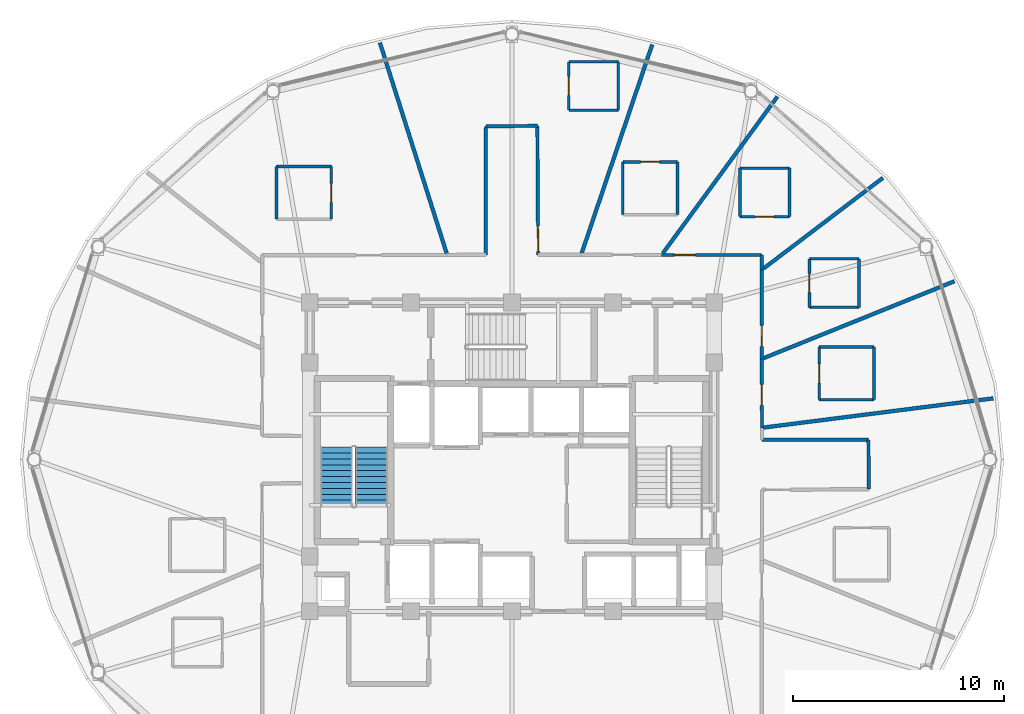
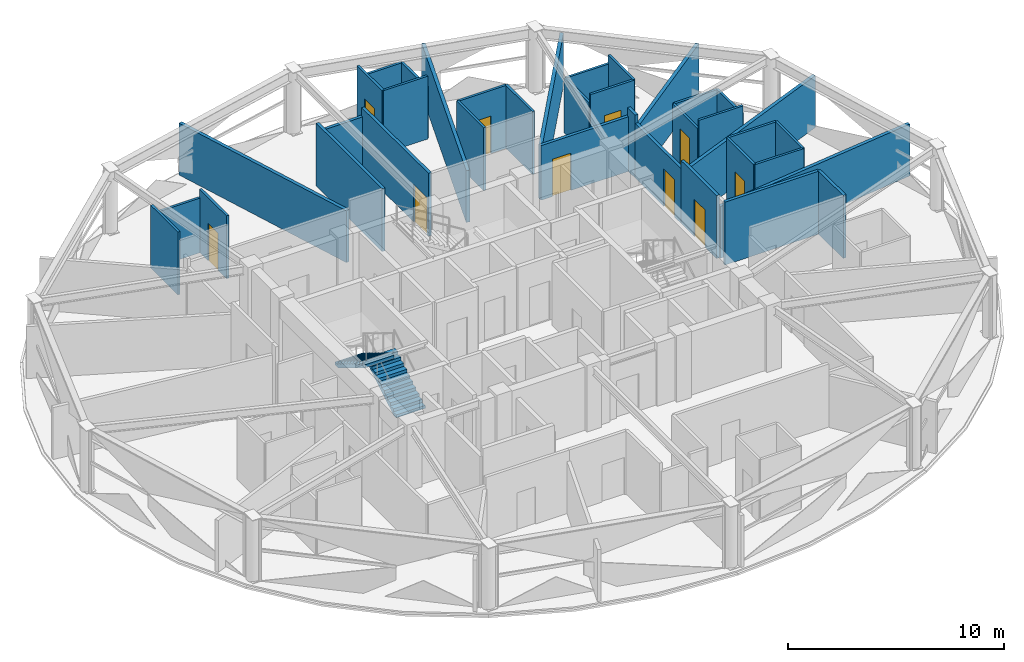
# One storey, part 25 of 30: 37 walls, 10 doors, 2 stair flights, 10 openings, 1 element without a shape of its own.
"""IFC4 building model written with IfcOpenShell, lengths in metres."""

import ifcopenshell
import ifcopenshell.guid

model = None  # the IFC model being written
_history = None  # IfcOwnerHistory: only IFC2X3 demands one
_inside = {}  # id of a spatial element -> (the spatial element, [elements in it])
_under = {}  # id of a project, library or spatial element -> (it, [spatial elements below it])
_declared = {}  # id of a project -> (the project, [libraries it declares])
_typed = {}  # id of a type object -> (the type object, [elements of that type])
_made_of = {}  # id of a material, layer set ... -> (it, [elements and type objects made of it])


def new_model(schema):
    """Start an empty IFC model of exactly this schema.

    Asked for "IFC4X3", IfcOpenShell would pick the latest addendum, in which some entities
    have other attributes; the version numbers below select the first issue.
    IFC2X3 requires an IfcOwnerHistory on every rooted entity: one is made here for all.
    """
    global model, _history
    if schema == "IFC4X3":
        model = ifcopenshell.file(schema_version=(4, 3, 0, 0))
    else:
        model = ifcopenshell.file(schema=schema)
    _inside.clear()
    _under.clear()
    _declared.clear()
    _typed.clear()
    _made_of.clear()
    _history = None
    if model.schema == "IFC2X3":
        org = make("IfcOrganization", Name="unknown")
        user = make(
            "IfcPersonAndOrganization",
            ThePerson=make("IfcPerson", FamilyName="unknown"),
            TheOrganization=org,
        )
        app = make(
            "IfcApplication",
            ApplicationDeveloper=org,
            Version="unknown",
            ApplicationFullName="unknown",
            ApplicationIdentifier="unknown",
        )
        _history = make(
            "IfcOwnerHistory",
            OwningUser=user,
            OwningApplication=app,
            ChangeAction="ADDED",
            CreationDate=0,
        )
    return model


def make(cls, **values):
    """One entity of the class cls with the attributes given. An attribute that is None is left unset."""
    return model.create_entity(
        cls, **{name: value for name, value in values.items() if value is not None}
    )


def rooted(cls, **values):
    """An entity with a GlobalId (a new one), such as an element, a storey or a relation."""
    return make(cls, GlobalId=ifcopenshell.guid.new(), OwnerHistory=_history, **values)


def si_unit(unit_type, name, prefix=None):
    """IfcSIUnit, for example si_unit("LENGTHUNIT", "METRE", prefix="MILLI")."""
    return make("IfcSIUnit", UnitType=unit_type, Prefix=prefix, Name=name)


def assignment(units):
    """IfcUnitAssignment: the units of a project."""
    return None if units is None else make("IfcUnitAssignment", Units=units)


def point(xyz):
    """IfcCartesianPoint."""
    return None if xyz is None else make("IfcCartesianPoint", Coordinates=xyz)


def direction(xyz):
    """IfcDirection."""
    return None if xyz is None else make("IfcDirection", DirectionRatios=xyz)


def frame(location, z_axis=None, x_axis=None):
    """IfcAxis2Placement3D, a coordinate frame: its origin and axes. An axis left out is left unset."""
    return make(
        "IfcAxis2Placement3D",
        Location=point(location),
        Axis=direction(z_axis),
        RefDirection=direction(x_axis),
    )


def frame_2d(location, x_axis=None):
    """IfcAxis2Placement2D, a coordinate frame in the plane: its origin and x axis."""
    return make(
        "IfcAxis2Placement2D", Location=point(location), RefDirection=direction(x_axis)
    )


def origin():
    """The frame at (0, 0, 0) with its axes left unset."""
    return frame((0.0, 0.0, 0.0))


def place(relative_to, where):
    """IfcLocalPlacement: puts the frame where relative to a parent placement (None: the world)."""
    return make(
        "IfcLocalPlacement", PlacementRelTo=relative_to, RelativePlacement=where
    )


def context(
    kind, dimensions, precision=None, world=None, true_north=None, identifier=None
):
    """IfcGeometricRepresentationContext, for example the 3D "Model" context."""
    return make(
        "IfcGeometricRepresentationContext",
        ContextIdentifier=identifier,
        ContextType=kind,
        CoordinateSpaceDimension=dimensions,
        Precision=precision,
        WorldCoordinateSystem=world,
        TrueNorth=true_north,
    )


def subcontext(parent, identifier, kind, view, scale=None):
    """IfcGeometricRepresentationSubContext, for example "Body" below "Model"."""
    return make(
        "IfcGeometricRepresentationSubContext",
        ContextIdentifier=identifier,
        ContextType=kind,
        ParentContext=parent,
        TargetScale=scale,
        TargetView=view,
    )


def project(units=None, contexts=None):
    """IfcProject with its units and contexts."""
    return rooted(
        "IfcProject",
        Name="project",
        RepresentationContexts=contexts,
        UnitsInContext=assignment(units),
    )


def spatial(cls, under=None, at=None, **own):
    """A site, building, storey or space (cls), placed at a placement, below another one or the project."""
    s = rooted(cls, ObjectPlacement=at, **own)
    if under is not None:
        _under.setdefault(under.id(), (under, []))[1].append(s)
    return s


def polyline(points):
    """IfcPolyline through the points."""
    return make("IfcPolyline", Points=[point(p) for p in points])


def profile(cls, at=None, kind="AREA", **sizes):
    """A parametric profile (cls). Its sizes go by their IFC names, for example OverallWidth=200.0."""
    return make(cls, ProfileType=kind, Position=at, **sizes)


def rectangle(**sizes):
    """IfcRectangleProfileDef."""
    return profile("IfcRectangleProfileDef", **sizes)


def outline(outer, holes=None, kind="AREA"):
    """IfcArbitraryClosedProfileDef: a profile drawn as a closed curve; with holes, ...WithVoids."""
    if holes is None:
        return make("IfcArbitraryClosedProfileDef", ProfileType=kind, OuterCurve=outer)
    return make(
        "IfcArbitraryProfileDefWithVoids",
        ProfileType=kind,
        OuterCurve=outer,
        InnerCurves=holes,
    )


def extrude(swept, where, along, depth):
    """IfcExtrudedAreaSolid: the profile swept, set in the frame where, extruded along a direction by depth."""
    return make(
        "IfcExtrudedAreaSolid",
        SweptArea=swept,
        Position=where,
        ExtrudedDirection=direction(along),
        Depth=depth,
    )


def shape(context_of_items, identifier, shape_type, items):
    """IfcShapeRepresentation: the items that make up one representation, for example the "Body"."""
    return make(
        "IfcShapeRepresentation",
        ContextOfItems=context_of_items,
        RepresentationIdentifier=identifier,
        RepresentationType=shape_type,
        Items=items,
    )


def material(Name=None, Category=None):
    """IfcMaterial."""
    return make("IfcMaterial", Name=Name, Category=Category)


def layer(
    of_material, thickness, ventilated=None, Name=None, Category=None, Priority=None
):
    """IfcMaterialLayer: one layer of a wall or slab, of a material (None: an air gap)."""
    return make(
        "IfcMaterialLayer",
        Material=of_material,
        LayerThickness=thickness,
        IsVentilated=ventilated,
        Name=Name,
        Category=Category,
        Priority=Priority,
    )


def layer_set(layers, Name=None):
    """IfcMaterialLayerSet."""
    return make("IfcMaterialLayerSet", MaterialLayers=layers, LayerSetName=Name)


def made_of(thing, what):
    """Note that an element or type object is made of a material, layer set ...; save() writes the relation."""
    if what is not None:
        _made_of.setdefault(what.id(), (what, []))[1].append(thing)
    return thing


def type_object(cls, material=None, **own):
    """A type object (cls), such as IfcWallType, which elements share."""
    return made_of(rooted(cls, **own), material)


def element(
    cls,
    number,
    at=None,
    inside=None,
    cuts=None,
    type_object=None,
    material=None,
    context=None,
    identifier="Body",
    shape_type=None,
    held_by="IfcProductDefinitionShape",
    body=None,
    shapes=None,
    **own,
):
    """One element of the class cls, such as IfcWall. Its Tag is "e" and its number.

    at: its placement. inside: the storey or other place that contains it. cuts: it is an
    opening in that element (IfcRelVoidsElement). A single representation is given by context,
    identifier, shape_type and body (its items); several are given by shapes. held_by: the class
    of the entity that holds the representations. save() writes the other relations.
    """
    e = rooted(cls, Tag="e%d" % number, ObjectPlacement=at, **own)
    if body is not None:
        shapes = [shape(context, identifier, shape_type, body)]
    if shapes is not None:
        e.Representation = make(held_by, Representations=shapes)
    if inside is not None:
        _inside.setdefault(inside.id(), (inside, []))[1].append(e)
    if cuts is not None:
        rooted(
            "IfcRelVoidsElement", RelatingBuildingElement=cuts, RelatedOpeningElement=e
        )
    if type_object is not None:
        _typed.setdefault(type_object.id(), (type_object, []))[1].append(e)
    return made_of(e, material)


def fill(opening, filler):
    """IfcRelFillsElement: the door or window that sits in an opening."""
    return rooted(
        "IfcRelFillsElement",
        RelatingOpeningElement=opening,
        RelatedBuildingElement=filler,
    )


def aggregate(whole, parts):
    """IfcRelAggregates: a whole, such as a stair, and the parts it consists of."""
    return rooted("IfcRelAggregates", RelatingObject=whole, RelatedObjects=parts)


def save(model, path):
    """Write the relations noted so far, then the file.

    IfcRelAggregates (storeys below a building ...), IfcRelContainedInSpatialStructure (elements
    in a storey), IfcRelDefinesByType, IfcRelAssociatesMaterial and IfcRelDeclares: one each for
    every whole, place, type object, material and project.
    """
    for whole, parts in _under.values():
        aggregate(whole, parts)
    for where, things in _inside.values():
        rooted(
            "IfcRelContainedInSpatialStructure",
            RelatedElements=things,
            RelatingStructure=where,
        )
    for kind, things in _typed.values():
        rooted("IfcRelDefinesByType", RelatedObjects=things, RelatingType=kind)
    for what, things in _made_of.values():
        rooted("IfcRelAssociatesMaterial", RelatedObjects=things, RelatingMaterial=what)
    for by, libraries in _declared.values():
        rooted("IfcRelDeclares", RelatingContext=by, RelatedDefinitions=libraries)
    model.write(path)


model = new_model("IFC4")

# Units and contexts
model_context = context("Model", 3, precision=1e-05, world=origin(), true_north=direction((0.0, 1.0)))
body_context = subcontext(model_context, "Body", "Model", "MODEL_VIEW")
ifc_project = project(units=[si_unit("LENGTHUNIT", "METRE"), si_unit("AREAUNIT", "SQUARE_METRE"), si_unit("VOLUMEUNIT", "CUBIC_METRE"), si_unit("PLANEANGLEUNIT", "RADIAN"), si_unit("MASSUNIT", "GRAM", prefix="KILO")], contexts=[model_context])

# Site, building, storey
site_placement = place(None, origin())
site = spatial("IfcSite", under=ifc_project, at=site_placement, CompositionType="ELEMENT")
building_placement = place(site_placement, origin())
building = spatial("IfcBuilding", under=site, at=building_placement, Name="Vantalir Tower", CompositionType="ELEMENT")
storey_placement = place(building_placement, frame((0.0, 0.0, 193.64990234375)))
storey = spatial("IfcBuildingStorey", under=building, at=storey_placement, Name="L48", CompositionType="ELEMENT", Elevation=193.64990234375)

# Walls
ifc_material_1 = material(Name="Moisture-resistant en-suite partition", Category="gypsum")
ifc_layer_1 = layer(ifc_material_1, 0.125)
ifc_layer_set_1 = layer_set([ifc_layer_1], Name="Moisture-resistant en-suite partition")
wall_type_1 = type_object("IfcWallType", Name="WL-BATH-125", PredefinedType="PARTITIONING", material=ifc_layer_set_1)
for number, where, z_axis, x_axis, name in (
    (1, (46.080078125, 27.842041015625, 0.0), (0.0, 0.0, 1.0), (1.0, 0.0, 0.0), "L48 En-suite 01 South Wall"),
    (2, (46.080078125, 30.342041015625, 0.0), (0.0, 0.0, 1.0), (1.0, 0.0, 0.0), "L48 En-suite 01 North Wall"),
):
    element("IfcWall", number, at=place(storey_placement, frame(where, z_axis=z_axis, x_axis=x_axis)), inside=storey, type_object=wall_type_1, Name=name, PredefinedType="PARTITIONING", context=body_context, shape_type="SweptSolid", body=[
        extrude(rectangle(XDim=2.599853515625, YDim=0.125, at=frame_2d((1.2998046875, 0.0))), origin(), (0.0, 0.0, 1.0), 3.550048828125),
    ])

# Wall, opening, door
wall_1_placement = place(storey_placement, frame((46.080078125, 27.842041015625, 0.0), z_axis=(0.0, 0.0, 1.0), x_axis=(0.0, 1.0, 0.0)))
wall_1 = element("IfcWall", 3, at=wall_1_placement, inside=storey, type_object=wall_type_1, Name="L48 En-suite 01 West Wall", PredefinedType="PARTITIONING", context=body_context, shape_type="SweptSolid", body=[
    extrude(rectangle(XDim=2.5, YDim=0.125, at=frame_2d((1.25, 0.0))), origin(), (0.0, 0.0, 1.0), 3.550048828125),
])
opening_1_placement = place(wall_1_placement, frame((0.800048828125, 0.0, 0.0)))
opening_1 = element("IfcOpeningElement", 4, at=opening_1_placement, cuts=wall_1, Name="Opening D-WC", PredefinedType="OPENING", context=body_context, shape_type="SweptSolid", body=[
    extrude(rectangle(XDim=0.89990234375, YDim=2.10009765625, at=frame_2d((0.449951171875, 1.050048828125))), frame((0.0, 0.072509765625, 0.0), z_axis=(0.0, -1.0, 0.0), x_axis=(1.0, 0.0, 0.0)), (0.0, 0.0, 1.0), 0.14501953125),
])
ifc_material_2 = material(Name="Moisture-resistant hardwood door", Category="wood")
door_type_1 = type_object("IfcDoorType", Name="DR-ENSUITE-900", OperationType="NOTDEFINED", PredefinedType="DOOR", material=ifc_material_2)
door_1_placement = place(opening_1_placement, frame((0.89990234375, 0.0, 0.0), z_axis=(0.0, 0.0, 1.0), x_axis=(-1.0, 0.0, 0.0)))
door_1 = element("IfcDoor", 5, at=door_1_placement, inside=storey, type_object=door_type_1, Name="L48 En-suite 01 Door", OperationType="SINGLE_SWING_RIGHT", OverallHeight=2.10009765625, OverallWidth=0.89990234375, PredefinedType="DOOR", context=body_context, shape_type="SweptSolid", body=[
    extrude(rectangle(XDim=0.89990234375, YDim=2.10009765625, at=frame_2d((0.449951171875, 1.050048828125))), frame((0.0, 0.02490234375, 0.0), z_axis=(0.0, -1.0, 0.0), x_axis=(1.0, 0.0, 0.0)), (0.0, 0.0, 1.0), 0.050048828125),
])
fill(opening_1, door_1)

# Walls
wall_2_placement = place(storey_placement, frame((48.679931640625, 27.842041015625, 0.0), z_axis=(0.0, 0.0, 1.0), x_axis=(0.0, 1.0, 0.0)))
element("IfcWall", 6, at=wall_2_placement, inside=storey, type_object=wall_type_1, Name="L48 En-suite 01 East Wall", PredefinedType="PARTITIONING", context=body_context, shape_type="SweptSolid", body=[
    extrude(rectangle(XDim=2.5, YDim=0.125, at=frame_2d((1.25, 0.0))), origin(), (0.0, 0.0, 1.0), 3.550048828125),
])
wall_3_placement = place(storey_placement, frame((45.616943359375, 32.22509765625, 0.0), z_axis=(0.0, 0.0, 1.0), x_axis=(1.0, 0.0, 0.0)))
element("IfcWall", 7, at=wall_3_placement, inside=storey, type_object=wall_type_1, Name="L48 En-suite 02 South Wall", PredefinedType="PARTITIONING", context=body_context, shape_type="SweptSolid", body=[
    extrude(rectangle(XDim=2.35009765625, YDim=0.125, at=frame_2d((1.175048828125, 0.0))), origin(), (0.0, 0.0, 1.0), 3.550048828125),
])
wall_4_placement = place(storey_placement, frame((45.616943359375, 34.52490234375, 0.0), z_axis=(0.0, 0.0, 1.0), x_axis=(1.0, 0.0, 0.0)))
element("IfcWall", 8, at=wall_4_placement, inside=storey, type_object=wall_type_1, Name="L48 En-suite 02 North Wall", PredefinedType="PARTITIONING", context=body_context, shape_type="SweptSolid", body=[
    extrude(rectangle(XDim=2.35009765625, YDim=0.125, at=frame_2d((1.175048828125, 0.0))), origin(), (0.0, 0.0, 1.0), 3.0810546875),
])

# Wall, opening, door
wall_5_placement = place(storey_placement, frame((45.616943359375, 32.22509765625, 0.0), z_axis=(0.0, 0.0, 1.0), x_axis=(0.0, 1.0, 0.0)))
wall_5 = element("IfcWall", 9, at=wall_5_placement, inside=storey, type_object=wall_type_1, Name="L48 En-suite 02 West Wall", PredefinedType="PARTITIONING", context=body_context, shape_type="SweptSolid", body=[
    extrude(rectangle(XDim=2.2998046875, YDim=0.125, at=frame_2d((1.14990234375, 0.0))), origin(), (0.0, 0.0, 1.0), 3.0810546875),
])
opening_2_placement = place(wall_5_placement, frame((0.699951171875, 0.0, 0.0)))
opening_2 = element("IfcOpeningElement", 10, at=opening_2_placement, cuts=wall_5, Name="Opening D-WC", PredefinedType="OPENING", context=body_context, shape_type="SweptSolid", body=[
    extrude(rectangle(XDim=0.89990234375, YDim=2.10009765625, at=frame_2d((0.449951171875, 1.050048828125))), frame((0.0, 0.072509765625, 0.0), z_axis=(0.0, -1.0, 0.0), x_axis=(1.0, 0.0, 0.0)), (0.0, 0.0, 1.0), 0.14501953125),
])
door_2_placement = place(opening_2_placement, frame((0.89990234375, 0.0, 0.0), z_axis=(0.0, 0.0, 1.0), x_axis=(-1.0, 0.0, 0.0)))
door_2 = element("IfcDoor", 11, at=door_2_placement, inside=storey, type_object=door_type_1, Name="L48 En-suite 02 Door", OperationType="SINGLE_SWING_LEFT", OverallHeight=2.10009765625, OverallWidth=0.89990234375, PredefinedType="DOOR", context=body_context, shape_type="SweptSolid", body=[
    extrude(rectangle(XDim=0.89990234375, YDim=2.10009765625, at=frame_2d((0.449951171875, 1.050048828125))), frame((0.0, 0.02490234375, 0.0), z_axis=(0.0, -1.0, 0.0), x_axis=(1.0, 0.0, 0.0)), (0.0, 0.0, 1.0), 0.050048828125),
])
fill(opening_2, door_2)

# Wall
wall_6_placement = place(storey_placement, frame((47.967041015625, 32.22509765625, 0.0), z_axis=(0.0, 0.0, 1.0), x_axis=(0.0, 1.0, 0.0)))
element("IfcWall", 12, at=wall_6_placement, inside=storey, type_object=wall_type_1, Name="L48 En-suite 02 East Wall", PredefinedType="PARTITIONING", context=body_context, shape_type="SweptSolid", body=[
    extrude(rectangle(XDim=2.2998046875, YDim=0.125, at=frame_2d((1.14990234375, 0.0))), origin(), (0.0, 0.0, 1.0), 3.0810546875),
])

# Wall, opening, door
wall_7_placement = place(storey_placement, frame((42.319091796875, 36.530029296875, 0.0), z_axis=(0.0, 0.0, 1.0), x_axis=(1.0, 0.0, 0.0)))
wall_7 = element("IfcWall", 13, at=wall_7_placement, inside=storey, type_object=wall_type_1, Name="L48 En-suite 03 South Wall", PredefinedType="PARTITIONING", context=body_context, shape_type="SweptSolid", body=[
    extrude(rectangle(XDim=2.349853515625, YDim=0.125, at=frame_2d((1.1748046875, 0.0))), origin(), (0.0, 0.0, 1.0), 3.550048828125),
])
opening_3_placement = place(wall_7_placement, frame((0.72509765625, 0.0, 0.0)))
opening_3 = element("IfcOpeningElement", 14, at=opening_3_placement, cuts=wall_7, Name="Opening D-WC", PredefinedType="OPENING", context=body_context, shape_type="SweptSolid", body=[
    extrude(rectangle(XDim=0.89990234375, YDim=2.10009765625, at=frame_2d((0.449951171875, 1.050048828125))), frame((0.0, 0.072509765625, 0.0), z_axis=(0.0, -1.0, 0.0), x_axis=(1.0, 0.0, 0.0)), (0.0, 0.0, 1.0), 0.14501953125),
])
door_3_placement = place(opening_3_placement, origin())
door_3 = element("IfcDoor", 15, at=door_3_placement, inside=storey, type_object=door_type_1, Name="L48 En-suite 03 Door", OperationType="SINGLE_SWING_RIGHT", OverallHeight=2.10009765625, OverallWidth=0.89990234375, PredefinedType="DOOR", context=body_context, shape_type="SweptSolid", body=[
    extrude(rectangle(XDim=0.89990234375, YDim=2.10009765625, at=frame_2d((0.449951171875, 1.050048828125))), frame((0.0, 0.02490234375, 0.0), z_axis=(0.0, -1.0, 0.0), x_axis=(1.0, 0.0, 0.0)), (0.0, 0.0, 1.0), 0.050048828125),
])
fill(opening_3, door_3)

# Walls
wall_8_placement = place(storey_placement, frame((42.319091796875, 38.830078125, 0.0), z_axis=(0.0, 0.0, 1.0), x_axis=(1.0, 0.0, 0.0)))
element("IfcWall", 16, at=wall_8_placement, inside=storey, type_object=wall_type_1, Name="L48 En-suite 03 North Wall", PredefinedType="PARTITIONING", context=body_context, shape_type="SweptSolid", body=[
    extrude(rectangle(XDim=2.349853515625, YDim=0.125, at=frame_2d((1.1748046875, 0.0))), origin(), (0.0, 0.0, 1.0), 3.0810546875),
])
wall_9_placement = place(storey_placement, frame((42.319091796875, 36.530029296875, 0.0), z_axis=(0.0, 0.0, 1.0), x_axis=(0.0, 1.0, 0.0)))
element("IfcWall", 17, at=wall_9_placement, inside=storey, type_object=wall_type_1, Name="L48 En-suite 03 West Wall", PredefinedType="PARTITIONING", context=body_context, shape_type="SweptSolid", body=[
    extrude(rectangle(XDim=2.300048828125, YDim=0.125, at=frame_2d((1.14990234375, 0.0))), origin(), (0.0, 0.0, 1.0), 3.0810546875),
])
wall_10_placement = place(storey_placement, frame((44.6689453125, 36.530029296875, 0.0), z_axis=(0.0, 0.0, 1.0), x_axis=(0.0, 1.0, 0.0)))
element("IfcWall", 18, at=wall_10_placement, inside=storey, type_object=wall_type_1, Name="L48 En-suite 03 East Wall", PredefinedType="PARTITIONING", context=body_context, shape_type="SweptSolid", body=[
    extrude(rectangle(XDim=2.300048828125, YDim=0.125, at=frame_2d((1.14990234375, 0.0))), origin(), (0.0, 0.0, 1.0), 3.550048828125),
])

# Wall, opening, door
wall_11_placement = place(storey_placement, frame((36.757080078125, 39.125, 0.0), z_axis=(0.0, 0.0, 1.0), x_axis=(1.0, 0.0, 0.0)))
wall_11 = element("IfcWall", 19, at=wall_11_placement, inside=storey, type_object=wall_type_1, Name="L48 En-suite 04 North Wall", PredefinedType="PARTITIONING", context=body_context, shape_type="SweptSolid", body=[
    extrude(rectangle(XDim=2.599853515625, YDim=0.125, at=frame_2d((1.2998046875, 0.0))), origin(), (0.0, 0.0, 1.0), 3.550048828125),
])
opening_4_placement = place(wall_11_placement, frame((0.85009765625, 0.0, 0.0)))
opening_4 = element("IfcOpeningElement", 20, at=opening_4_placement, cuts=wall_11, Name="Opening D-WC", PredefinedType="OPENING", context=body_context, shape_type="SweptSolid", body=[
    extrude(rectangle(XDim=0.89990234375, YDim=2.10009765625, at=frame_2d((0.449951171875, 1.050048828125))), frame((0.0, 0.072509765625, 0.0), z_axis=(0.0, -1.0, 0.0), x_axis=(1.0, 0.0, 0.0)), (0.0, 0.0, 1.0), 0.14501953125),
])
door_4_placement = place(opening_4_placement, frame((0.89990234375, 0.0, 0.0), z_axis=(0.0, 0.0, 1.0), x_axis=(-1.0, 0.0, 0.0)))
door_4 = element("IfcDoor", 21, at=door_4_placement, inside=storey, type_object=door_type_1, Name="L48 En-suite 04 Door", OperationType="SINGLE_SWING_LEFT", OverallHeight=2.10009765625, OverallWidth=0.89990234375, PredefinedType="DOOR", context=body_context, shape_type="SweptSolid", body=[
    extrude(rectangle(XDim=0.89990234375, YDim=2.10009765625, at=frame_2d((0.449951171875, 1.050048828125))), frame((0.0, 0.02490234375, 0.0), z_axis=(0.0, -1.0, 0.0), x_axis=(1.0, 0.0, 0.0)), (0.0, 0.0, 1.0), 0.050048828125),
])
fill(opening_4, door_4)

# Walls
for number, where, z_axis, x_axis, name in (
    (22, (36.757080078125, 36.625, 0.0), (0.0, 0.0, 1.0), (0.0, 1.0, 0.0), "L48 En-suite 04 West Wall"),
    (23, (39.35693359375, 36.625, 0.0), (0.0, 0.0, 1.0), (0.0, 1.0, 0.0), "L48 En-suite 04 East Wall"),
):
    element("IfcWall", number, at=place(storey_placement, frame(where, z_axis=z_axis, x_axis=x_axis)), inside=storey, type_object=wall_type_1, Name=name, PredefinedType="PARTITIONING", context=body_context, shape_type="SweptSolid", body=[
        extrude(rectangle(XDim=2.5, YDim=0.125, at=frame_2d((1.25, 0.0))), origin(), (0.0, 0.0, 1.0), 3.550048828125),
    ])
wall_12_placement = place(storey_placement, frame((34.195068359375, 41.5810546875, 0.0), z_axis=(0.0, 0.0, 1.0), x_axis=(1.0, 0.0, 0.0)))
element("IfcWall", 24, at=wall_12_placement, inside=storey, type_object=wall_type_1, Name="L48 En-suite 05 South Wall", PredefinedType="PARTITIONING", context=body_context, shape_type="SweptSolid", body=[
    extrude(rectangle(XDim=2.349853515625, YDim=0.125, at=frame_2d((1.1748046875, 0.0))), origin(), (0.0, 0.0, 1.0), 3.550048828125),
])
wall_13_placement = place(storey_placement, frame((34.195068359375, 43.881103515625, 0.0), z_axis=(0.0, 0.0, 1.0), x_axis=(1.0, 0.0, 0.0)))
element("IfcWall", 25, at=wall_13_placement, inside=storey, type_object=wall_type_1, Name="L48 En-suite 05 North Wall", PredefinedType="PARTITIONING", context=body_context, shape_type="SweptSolid", body=[
    extrude(rectangle(XDim=2.349853515625, YDim=0.125, at=frame_2d((1.1748046875, 0.0))), origin(), (0.0, 0.0, 1.0), 2.925048828125),
])

# Wall, opening, door
wall_14_placement = place(storey_placement, frame((34.195068359375, 41.5810546875, 0.0), z_axis=(0.0, 0.0, 1.0), x_axis=(0.0, 1.0, 0.0)))
wall_14 = element("IfcWall", 26, at=wall_14_placement, inside=storey, type_object=wall_type_1, Name="L48 En-suite 05 West Wall", PredefinedType="PARTITIONING", context=body_context, shape_type="SweptSolid", body=[
    extrude(rectangle(XDim=2.300048828125, YDim=0.125, at=frame_2d((1.14990234375, 0.0))), origin(), (0.0, 0.0, 1.0), 3.550048828125),
])
opening_5_placement = place(wall_14_placement, frame((0.699951171875, 0.0, 0.0)))
opening_5 = element("IfcOpeningElement", 27, at=opening_5_placement, cuts=wall_14, Name="Opening D-WC", PredefinedType="OPENING", context=body_context, shape_type="SweptSolid", body=[
    extrude(rectangle(XDim=0.89990234375, YDim=2.10009765625, at=frame_2d((0.449951171875, 1.050048828125))), frame((0.0, 0.072509765625, 0.0), z_axis=(0.0, -1.0, 0.0), x_axis=(1.0, 0.0, 0.0)), (0.0, 0.0, 1.0), 0.14501953125),
])
door_5_placement = place(opening_5_placement, frame((0.89990234375, 0.0, 0.0), z_axis=(0.0, 0.0, 1.0), x_axis=(-1.0, 0.0, 0.0)))
door_5 = element("IfcDoor", 28, at=door_5_placement, inside=storey, type_object=door_type_1, Name="L48 En-suite 05 Door", OperationType="SINGLE_SWING_RIGHT", OverallHeight=2.10009765625, OverallWidth=0.89990234375, PredefinedType="DOOR", context=body_context, shape_type="SweptSolid", body=[
    extrude(rectangle(XDim=0.89990234375, YDim=2.10009765625, at=frame_2d((0.449951171875, 1.050048828125))), frame((0.0, 0.02490234375, 0.0), z_axis=(0.0, -1.0, 0.0), x_axis=(1.0, 0.0, 0.0)), (0.0, 0.0, 1.0), 0.050048828125),
])
fill(opening_5, door_5)

# Walls
wall_15_placement = place(storey_placement, frame((36.544921875, 41.5810546875, 0.0), z_axis=(0.0, 0.0, 1.0), x_axis=(0.0, 1.0, 0.0)))
element("IfcWall", 29, at=wall_15_placement, inside=storey, type_object=wall_type_1, Name="L48 En-suite 05 East Wall", PredefinedType="PARTITIONING", context=body_context, shape_type="SweptSolid", body=[
    extrude(rectangle(XDim=2.300048828125, YDim=0.125, at=frame_2d((1.14990234375, 0.0))), origin(), (0.0, 0.0, 1.0), 2.925048828125),
])
wall_16_placement = place(storey_placement, frame((20.322998046875, 38.9130859375, 0.0), z_axis=(0.0, 0.0, 1.0), x_axis=(1.0, 0.0, 0.0)))
element("IfcWall", 30, at=wall_16_placement, inside=storey, type_object=wall_type_1, Name="L48 En-suite 06 North Wall", PredefinedType="PARTITIONING", context=body_context, shape_type="SweptSolid", body=[
    extrude(rectangle(XDim=2.60009765625, YDim=0.125, at=frame_2d((1.300048828125, 0.0))), origin(), (0.0, 0.0, 1.0), 3.0810546875),
])
wall_17_placement = place(storey_placement, frame((20.322998046875, 36.4130859375, 0.0), z_axis=(0.0, 0.0, 1.0), x_axis=(0.0, 1.0, 0.0)))
element("IfcWall", 31, at=wall_17_placement, inside=storey, type_object=wall_type_1, Name="L48 En-suite 06 West Wall", PredefinedType="PARTITIONING", context=body_context, shape_type="SweptSolid", body=[
    extrude(rectangle(XDim=2.5, YDim=0.125, at=frame_2d((1.25, 0.0))), origin(), (0.0, 0.0, 1.0), 3.550048828125),
])

# Wall, opening, door
wall_18_placement = place(storey_placement, frame((22.923095703125, 36.4130859375, 0.0), z_axis=(0.0, 0.0, 1.0), x_axis=(0.0, 1.0, 0.0)))
wall_18 = element("IfcWall", 32, at=wall_18_placement, inside=storey, type_object=wall_type_1, Name="L48 En-suite 06 East Wall", PredefinedType="PARTITIONING", context=body_context, shape_type="SweptSolid", body=[
    extrude(rectangle(XDim=2.5, YDim=0.125, at=frame_2d((1.25, 0.0))), origin(), (0.0, 0.0, 1.0), 3.550048828125),
])
opening_6_placement = place(wall_18_placement, frame((0.800048828125, 0.0, 0.0)))
opening_6 = element("IfcOpeningElement", 33, at=opening_6_placement, cuts=wall_18, Name="Opening D-WC", PredefinedType="OPENING", context=body_context, shape_type="SweptSolid", body=[
    extrude(rectangle(XDim=0.89990234375, YDim=2.10009765625, at=frame_2d((0.449951171875, 1.050048828125))), frame((0.0, 0.072509765625, 0.0), z_axis=(0.0, -1.0, 0.0), x_axis=(1.0, 0.0, 0.0)), (0.0, 0.0, 1.0), 0.14501953125),
])
door_6_placement = place(opening_6_placement, origin())
door_6 = element("IfcDoor", 34, at=door_6_placement, inside=storey, type_object=door_type_1, Name="L48 En-suite 06 Door", OperationType="SINGLE_SWING_LEFT", OverallHeight=2.10009765625, OverallWidth=0.89990234375, PredefinedType="DOOR", context=body_context, shape_type="SweptSolid", body=[
    extrude(rectangle(XDim=0.89990234375, YDim=2.10009765625, at=frame_2d((0.449951171875, 1.050048828125))), frame((0.0, 0.02490234375, 0.0), z_axis=(0.0, -1.0, 0.0), x_axis=(1.0, 0.0, 0.0)), (0.0, 0.0, 1.0), 0.050048828125),
])
fill(opening_6, door_6)

# Walls
ifc_material_3 = material(Name="Fire-rated hotel corridor acoustic partition", Category="gypsum")
ifc_layer_2 = layer(ifc_material_3, 0.159912109375)
ifc_layer_set_2 = layer_set([ifc_layer_2], Name="Fire-rated hotel corridor acoustic partition")
wall_type_2 = type_object("IfcWallType", Name="WL-CORR-160", PredefinedType="PARTITIONING", material=ifc_layer_set_2)
wall_19_placement = place(storey_placement, frame((30.260009765625, 34.715087890625, 0.0), z_axis=(0.0, 0.0, 1.0), x_axis=(0.000480288118, 0.999999884662, 0.0)))
element("IfcWall", 35, at=wall_19_placement, inside=storey, type_object=wall_type_2, Name="L48 Corridor Partition 08", PredefinedType="PARTITIONING", context=body_context, shape_type="SweptSolid", body=[
    extrude(rectangle(XDim=6.099853515625, YDim=0.159912109375, at=frame_2d((3.0498046875, 0.0))), origin(), (0.0, 0.0, 1.0), 3.550048828125),
])
wall_20_placement = place(storey_placement, frame((30.262939453125, 40.81494140625, 0.0), z_axis=(0.0, 0.0, 1.0), x_axis=(0.999946948611, 0.010300483619, 0.0)))
element("IfcWall", 36, at=wall_20_placement, inside=storey, type_object=wall_type_2, Name="L48 Corridor Partition 09", PredefinedType="PARTITIONING", context=body_context, shape_type="SweptSolid", body=[
    extrude(rectangle(XDim=2.44140625, YDim=0.159912109375, at=frame_2d((1.220703125, 0.0))), origin(), (0.0, 0.0, 1.0), 3.0810546875),
])

# Wall, opening, door
wall_21_placement = place(storey_placement, frame((32.7041015625, 40.840087890625, 0.0), z_axis=(0.0, 0.0, 1.0), x_axis=(0.00585927442, -0.999982834304, 0.0)))
wall_21 = element("IfcWall", 37, at=wall_21_placement, inside=storey, type_object=wall_type_2, Name="L48 Corridor Partition 10", PredefinedType="PARTITIONING", context=body_context, shape_type="SweptSolid", body=[
    extrude(rectangle(XDim=6.125, YDim=0.159912109375, at=frame_2d((3.0625, 0.0))), origin(), (0.0, 0.0, 1.0), 3.550048828125),
])
opening_7_placement = place(wall_21_placement, frame((4.764892578125, 0.0, 0.0)))
opening_7 = element("IfcOpeningElement", 38, at=opening_7_placement, cuts=wall_21, Name="Opening D-STE", PredefinedType="OPENING", context=body_context, shape_type="SweptSolid", body=[
    extrude(rectangle(XDim=1.199951171875, YDim=2.10009765625, at=frame_2d((0.60009765625, 1.050048828125))), frame((0.0, 0.08984375, 0.0), z_axis=(0.0, -1.0, 0.0), x_axis=(1.0, 0.0, 0.0)), (0.0, 0.0, 1.0), 0.179931640625),
])
ifc_material_4 = material(Name="Solid-core teak veneer suite entrance door", Category="wood")
door_type_2 = type_object("IfcDoorType", Name="DR-SUITE-ENTRY-1200", OperationType="NOTDEFINED", PredefinedType="DOOR", material=ifc_material_4)
door_7_placement = place(opening_7_placement, origin())
door_7 = element("IfcDoor", 39, at=door_7_placement, inside=storey, type_object=door_type_2, Name="L48 Corner Panorama Hotel Suite 05 Door", OperationType="SINGLE_SWING_LEFT", OverallHeight=2.10009765625, OverallWidth=1.199951171875, PredefinedType="DOOR", context=body_context, shape_type="SweptSolid", body=[
    extrude(rectangle(XDim=1.199951171875, YDim=2.10009765625, at=frame_2d((0.60009765625, 1.050048828125))), frame((0.0, 0.02490234375, 0.0), z_axis=(0.0, -1.0, 0.0), x_axis=(1.0, 0.0, 0.0)), (0.0, 0.0, 1.0), 0.050048828125),
])
fill(opening_7, door_7)

wall_22_placement = place(storey_placement, frame((38.60107421875, 34.7109375, 0.0), z_axis=(0.0, 0.0, 1.0), x_axis=(0.999999809461, -0.000617315588, 0.0)))
wall_22 = element("IfcWall", 40, at=wall_22_placement, inside=storey, type_object=wall_type_2, Name="L48 Corridor Partition 13", PredefinedType="PARTITIONING", context=body_context, shape_type="SweptSolid", body=[
    extrude(rectangle(XDim=4.745849609375, YDim=0.159912109375, at=frame_2d((2.373046875, 0.0))), origin(), (0.0, 0.0, 1.0), 3.0810546875),
])
opening_8_placement = place(wall_22_placement, frame((0.60693359375, 0.0, 0.0)))
opening_8 = element("IfcOpeningElement", 41, at=opening_8_placement, cuts=wall_22, Name="Opening D-GUEST", PredefinedType="OPENING", context=body_context, shape_type="SweptSolid", body=[
    extrude(rectangle(XDim=1.0, YDim=2.10009765625, at=frame_2d((0.5, 1.050048828125))), frame((0.0, 0.08984375, 0.0), z_axis=(0.0, -1.0, 0.0), x_axis=(1.0, 0.0, 0.0)), (0.0, 0.0, 1.0), 0.179931640625),
])
ifc_material_5 = material(Name="Solid-core teak veneer acoustic fire door", Category="wood")
door_type_3 = type_object("IfcDoorType", Name="DR-GUEST-ENTRY-1000", OperationType="NOTDEFINED", PredefinedType="DOOR", material=ifc_material_5)
door_8_placement = place(opening_8_placement, origin())
door_8 = element("IfcDoor", 42, at=door_8_placement, inside=storey, type_object=door_type_3, Name="L48 Deluxe King Hotel Room 03 Door", OperationType="SINGLE_SWING_LEFT", OverallHeight=2.10009765625, OverallWidth=1.0, PredefinedType="DOOR", context=body_context, shape_type="SweptSolid", body=[
    extrude(rectangle(XDim=1.0, YDim=2.10009765625, at=frame_2d((0.5, 1.050048828125))), frame((0.0, 0.02490234375, 0.0), z_axis=(0.0, -1.0, 0.0), x_axis=(1.0, 0.0, 0.0)), (0.0, 0.0, 1.0), 0.050048828125),
])
fill(opening_8, door_8)

# Wall
wall_23_placement = place(storey_placement, frame((43.346923828125, 34.7080078125, 0.0), z_axis=(0.0, 0.0, 1.0), x_axis=(0.00309915867, -0.999995197596, 0.0)))
element("IfcWall", 43, at=wall_23_placement, inside=storey, type_object=wall_type_2, Name="L48 Corridor Partition 14", PredefinedType="PARTITIONING", context=body_context, shape_type="SweptSolid", body=[
    extrude(rectangle(XDim=0.708984375, YDim=0.159912109375, at=frame_2d((0.3544921875, 0.0))), origin(), (0.0, 0.0, 1.0), 3.550048828125),
])

# Wall, opening, door
wall_24_placement = place(storey_placement, frame((43.34912109375, 33.9990234375, 0.0), z_axis=(0.0, 0.0, 1.0), x_axis=(0.001850884677, -0.999998287111, 0.0)))
wall_24 = element("IfcWall", 44, at=wall_24_placement, inside=storey, type_object=wall_type_2, Name="L48 Corridor Partition 15", PredefinedType="PARTITIONING", context=body_context, shape_type="SweptSolid", body=[
    extrude(rectangle(XDim=4.220947265625, YDim=0.159912109375, at=frame_2d((2.1103515625, 0.0))), origin(), (0.0, 0.0, 1.0), 3.0810546875),
])
opening_9_placement = place(wall_24_placement, frame((2.6259765625, 0.0, 0.0)))
opening_9 = element("IfcOpeningElement", 45, at=opening_9_placement, cuts=wall_24, Name="Opening D-GUEST", PredefinedType="OPENING", context=body_context, shape_type="SweptSolid", body=[
    extrude(rectangle(XDim=1.0, YDim=2.10009765625, at=frame_2d((0.5, 1.050048828125))), frame((0.0, 0.08984375, 0.0), z_axis=(0.0, -1.0, 0.0), x_axis=(1.0, 0.0, 0.0)), (0.0, 0.0, 1.0), 0.179931640625),
])
door_9_placement = place(opening_9_placement, origin())
door_9 = element("IfcDoor", 46, at=door_9_placement, inside=storey, type_object=door_type_3, Name="L48 Deluxe King Hotel Room 02 Door", OperationType="SINGLE_SWING_RIGHT", OverallHeight=2.10009765625, OverallWidth=1.0, PredefinedType="DOOR", context=body_context, shape_type="SweptSolid", body=[
    extrude(rectangle(XDim=1.0, YDim=2.10009765625, at=frame_2d((0.5, 1.050048828125))), frame((0.0, 0.02490234375, 0.0), z_axis=(0.0, -1.0, 0.0), x_axis=(1.0, 0.0, 0.0)), (0.0, 0.0, 1.0), 0.050048828125),
])
fill(opening_9, door_9)

wall_25_placement = place(storey_placement, frame((43.35693359375, 29.778076171875, 0.0), z_axis=(0.0, 0.0, 1.0), x_axis=(0.00216579029, -0.999997654673, 0.0)))
wall_25 = element("IfcWall", 47, at=wall_25_placement, inside=storey, type_object=wall_type_2, Name="L48 Corridor Partition 16", PredefinedType="PARTITIONING", context=body_context, shape_type="SweptSolid", body=[
    extrude(rectangle(XDim=3.26904296875, YDim=0.159912109375, at=frame_2d((1.634521484375, 0.0))), origin(), (0.0, 0.0, 1.0), 3.550048828125),
])
opening_10_placement = place(wall_25_placement, frame((1.208984375, 0.0, 0.0)))
opening_10 = element("IfcOpeningElement", 48, at=opening_10_placement, cuts=wall_25, Name="Opening D-GUEST", PredefinedType="OPENING", context=body_context, shape_type="SweptSolid", body=[
    extrude(rectangle(XDim=1.0, YDim=2.10009765625, at=frame_2d((0.5, 1.050048828125))), frame((0.0, 0.08984375, 0.0), z_axis=(0.0, -1.0, 0.0), x_axis=(1.0, 0.0, 0.0)), (0.0, 0.0, 1.0), 0.179931640625),
])
door_10_placement = place(opening_10_placement, origin())
door_10 = element("IfcDoor", 49, at=door_10_placement, inside=storey, type_object=door_type_3, Name="L48 Twin Queen Hotel Room 01 Door", OperationType="SINGLE_SWING_LEFT", OverallHeight=2.10009765625, OverallWidth=1.0, PredefinedType="DOOR", context=body_context, shape_type="SweptSolid", body=[
    extrude(rectangle(XDim=1.0, YDim=2.10009765625, at=frame_2d((0.5, 1.050048828125))), frame((0.0, 0.02490234375, 0.0), z_axis=(0.0, -1.0, 0.0), x_axis=(1.0, 0.0, 0.0)), (0.0, 0.0, 1.0), 0.050048828125),
])
fill(opening_10, door_10)

# Walls
wall_26_placement = place(storey_placement, frame((43.364990234375, 25.93994140625, 0.0), z_axis=(0.0, 0.0, 1.0), x_axis=(0.999999831724, -0.000580130432, 0.0)))
element("IfcWall", 50, at=wall_26_placement, inside=storey, type_object=wall_type_2, Name="L48 Corridor Partition 18", PredefinedType="PARTITIONING", context=body_context, shape_type="SweptSolid", body=[
    extrude(rectangle(XDim=5.050048828125, YDim=0.159912109375, at=frame_2d((2.52490234375, 0.0))), origin(), (0.0, 0.0, 1.0), 3.550048828125),
])
wall_27_placement = place(storey_placement, frame((48.4150390625, 25.93701171875, 0.0), z_axis=(0.0, 0.0, 1.0), x_axis=(0.010636586698, -0.999943429912, 0.0)))
element("IfcWall", 51, at=wall_27_placement, inside=storey, type_object=wall_type_2, Name="L48 Corridor Partition 19", PredefinedType="PARTITIONING", context=body_context, shape_type="SweptSolid", body=[
    extrude(rectangle(XDim=2.34130859375, YDim=0.159912109375, at=frame_2d((1.170654296875, 0.0))), origin(), (0.0, 0.0, 1.0), 3.550048828125),
])
ifc_material_6 = material(Name="Twin-stud acoustic fire-rated gypsum partition", Category="gypsum")
ifc_layer_3 = layer(ifc_material_6, 0.179931640625)
ifc_layer_set_3 = layer_set([ifc_layer_3], Name="Twin-stud acoustic fire-rated gypsum partition")
wall_type_3 = type_object("IfcWallType", Name="WL-GUEST-180", PredefinedType="PARTITIONING", material=ifc_layer_set_3)
wall_28_placement = place(storey_placement, frame((43.43994140625, 26.51904296875, 0.0), z_axis=(0.0, 0.0, 1.0), x_axis=(0.99200307121, 0.12621373424, 0.0)))
element("IfcWall", 52, at=wall_28_placement, inside=storey, type_object=wall_type_3, Name="L48 Radial Suite Partition 01", PredefinedType="PARTITIONING", context=body_context, shape_type="SweptSolid", body=[
    extrude(rectangle(XDim=10.989013671875, YDim=0.179931640625, at=frame_2d((5.49462890625, 0.0))), origin(), (0.0, 0.0, 1.0), 2.925048828125),
])
wall_29_placement = place(storey_placement, frame((43.43994140625, 29.81201171875, 0.0), z_axis=(0.0, 0.0, 1.0), x_axis=(0.927518376856, 0.373777554963, 0.0)))
element("IfcWall", 53, at=wall_29_placement, inside=storey, type_object=wall_type_3, Name="L48 Radial Suite Partition 02", PredefinedType="PARTITIONING", context=body_context, shape_type="SweptSolid", body=[
    extrude(rectangle(XDim=9.764892578125, YDim=0.179931640625, at=frame_2d((4.88232421875, 0.0))), origin(), (0.0, 0.0, 1.0), 2.925048828125),
])
wall_30_placement = place(storey_placement, frame((43.43994140625, 34.068115234375, 0.0), z_axis=(0.0, 0.0, 1.0), x_axis=(0.796358076738, 0.604825440614, 0.0)))
element("IfcWall", 54, at=wall_30_placement, inside=storey, type_object=wall_type_3, Name="L48 Radial Suite Partition 03", PredefinedType="PARTITIONING", context=body_context, shape_type="SweptSolid", body=[
    extrude(rectangle(XDim=7.107666015625, YDim=0.179931640625, at=frame_2d((3.5537109375, 0.0))), origin(), (0.0, 0.0, 1.0), 2.925048828125),
])
wall_31_placement = place(storey_placement, frame((38.658935546875, 34.7900390625, 0.0), z_axis=(0.0, 0.0, 1.0), x_axis=(0.590246447898, 0.807223098495, 0.0)))
element("IfcWall", 55, at=wall_31_placement, inside=storey, type_object=wall_type_3, Name="L48 Radial Suite Partition 04", PredefinedType="PARTITIONING", context=body_context, shape_type="SweptSolid", body=[
    extrude(rectangle(XDim=9.213134765625, YDim=0.179931640625, at=frame_2d((4.6064453125, 0.0))), origin(), (0.0, 0.0, 1.0), 2.925048828125),
])
wall_32_placement = place(storey_placement, frame((34.806884765625, 34.7900390625, 0.0), z_axis=(0.0, 0.0, 1.0), x_axis=(0.320029987421, 0.947407413498, 0.0)))
element("IfcWall", 56, at=wall_32_placement, inside=storey, type_object=wall_type_3, Name="L48 Radial Suite Partition 05", PredefinedType="PARTITIONING", context=body_context, shape_type="SweptSolid", body=[
    extrude(rectangle(XDim=10.452880859375, YDim=0.179931640625, at=frame_2d((5.2265625, 0.0))), origin(), (0.0, 0.0, 1.0), 2.925048828125),
])
wall_33_placement = place(storey_placement, frame((28.39794921875, 34.7900390625, 0.0), z_axis=(0.0, 0.0, 1.0), x_axis=(-0.301976006653, 0.953315525629, 0.0)))
element("IfcWall", 57, at=wall_33_placement, inside=storey, type_object=wall_type_3, Name="L48 Radial Suite Partition 06", PredefinedType="PARTITIONING", context=body_context, shape_type="SweptSolid", body=[
    extrude(rectangle(XDim=10.484375, YDim=0.179931640625, at=frame_2d((5.2421875, 0.0))), origin(), (0.0, 0.0, 1.0), 2.925048828125),
])

# Stair, stair flights
ifc_material_7 = material(Name="Concrete C40/50", Category="concrete")
stair_type = type_object("IfcStairType", Name="STR-CORE-1450", PredefinedType="HALF_TURN_STAIR", material=ifc_material_7)
stair_placement = place(storey_placement, origin())
stair = element("IfcStair", 58, at=stair_placement, inside=storey, type_object=stair_type, Name="L48 Core Exit Stair 1", PredefinedType="HALF_TURN_STAIR")
stair_flight_type = type_object("IfcStairFlightType", Name="FLT-CORE-1450", PredefinedType="STRAIGHT", material=ifc_material_7)
stair_flight_1_placement = place(storey_placement, frame((24.830078125, 22.7900390625, 0.0), z_axis=(0.0, 0.0, 1.0), x_axis=(0.0, 1.0, 0.0)))
stair_flight_1 = element("IfcStairFlight", 59, at=stair_flight_1_placement, type_object=stair_flight_type, Name="ST1 flight 1", NumberOfRisers=11, NumberOfTreads=10, PredefinedType="STRAIGHT", RiserHeight=0.170454545, TreadLength=0.28, context=body_context, shape_type="SweptSolid", body=[
    extrude(outline(polyline([(0.0, 0.0), (0.0, 0.17041015625), (0.280029296875, 0.17041015625), (0.280029296875, 0.3408203125), (0.56005859375, 0.3408203125), (0.56005859375, 0.511474609375), (0.840087890625, 0.511474609375), (0.840087890625, 0.681884765625), (1.1201171875, 0.681884765625), (1.1201171875, 0.852294921875), (1.39990234375, 0.852294921875), (1.39990234375, 1.022705078125), (1.679931640625, 1.022705078125), (1.679931640625, 1.193115234375), (1.9599609375, 1.193115234375), (1.9599609375, 1.363525390625), (2.239990234375, 1.363525390625), (2.239990234375, 1.5341796875), (2.52001953125, 1.5341796875), (2.52001953125, 1.70458984375), (2.800048828125, 1.70458984375), (2.800048828125, 1.875), (2.800048828125, 1.529052734375), (0.288330078125, 0.0), (0.0, 0.0)])), frame((0.0, 0.77001953125, 0.0), z_axis=(0.0, -1.0, 0.0), x_axis=(1.0, 0.0, 0.0)), (0.0, 0.0, 1.0), 1.5400390625),
])
stair_flight_2_placement = place(storey_placement, frame((23.169921875, 25.590087890625, 1.875), z_axis=(0.0, 0.0, 1.0), x_axis=(0.0, -1.0, 0.0)))
stair_flight_2 = element("IfcStairFlight", 60, at=stair_flight_2_placement, type_object=stair_flight_type, Name="ST1 flight 2", NumberOfRisers=11, NumberOfTreads=10, PredefinedType="STRAIGHT", RiserHeight=0.170454545, TreadLength=0.28, context=body_context, shape_type="SweptSolid", body=[
    extrude(outline(polyline([(0.0, 0.0), (0.0, 0.17041015625), (0.280029296875, 0.17041015625), (0.280029296875, 0.3408203125), (0.56005859375, 0.3408203125), (0.56005859375, 0.511474609375), (0.840087890625, 0.511474609375), (0.840087890625, 0.681884765625), (1.1201171875, 0.681884765625), (1.1201171875, 0.852294921875), (1.39990234375, 0.852294921875), (1.39990234375, 1.022705078125), (1.679931640625, 1.022705078125), (1.679931640625, 1.193115234375), (1.9599609375, 1.193115234375), (1.9599609375, 1.363525390625), (2.239990234375, 1.363525390625), (2.239990234375, 1.5341796875), (2.52001953125, 1.5341796875), (2.52001953125, 1.70458984375), (2.800048828125, 1.70458984375), (2.800048828125, 1.875), (2.800048828125, 1.529052734375), (0.288330078125, 0.0), (0.0, 0.0)])), frame((0.0, 0.77001953125, 0.0), z_axis=(0.0, -1.0, 0.0), x_axis=(1.0, 0.0, 0.0)), (0.0, 0.0, 1.0), 1.5400390625),
])
aggregate(stair, [stair_flight_1, stair_flight_2])

save(model, "model.ifc")
